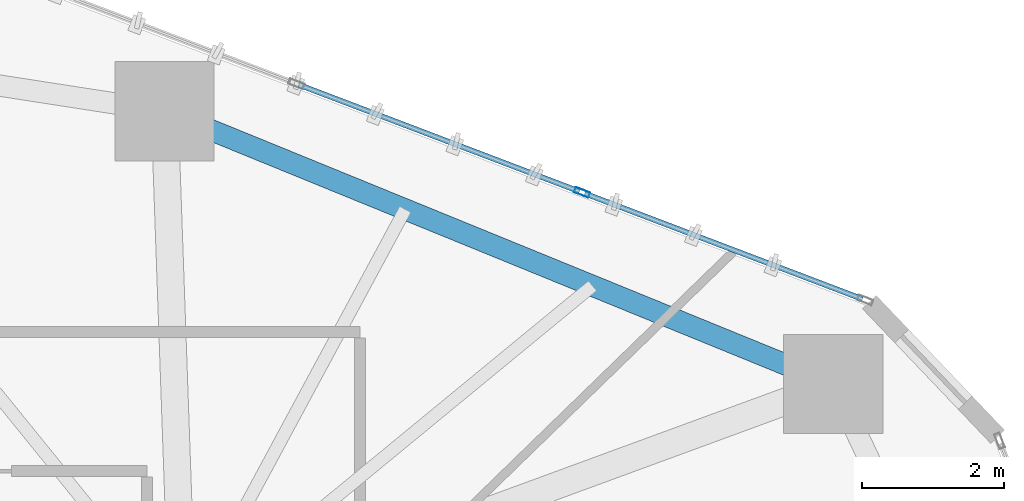
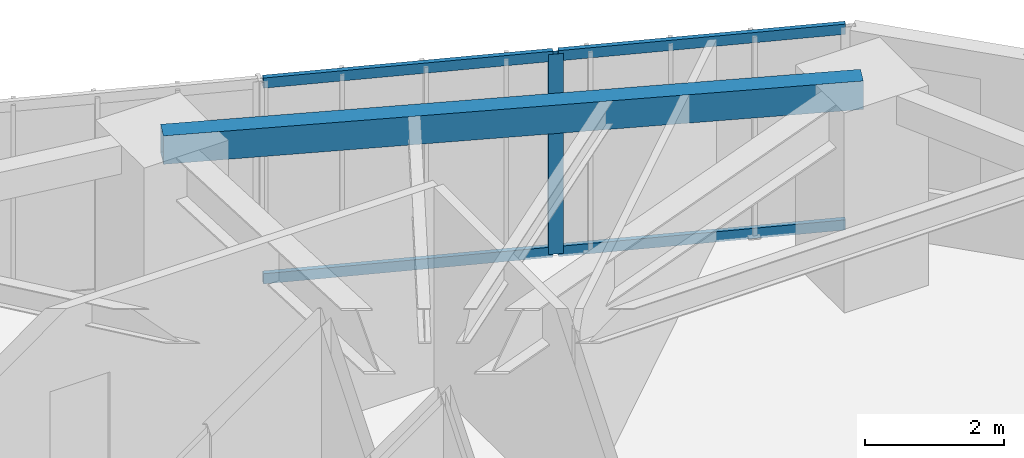
# One storey, part 16 of 23: 5 members, 1 beam, 1 element without a shape of its own.
"""IFC4 building model written with IfcOpenShell, lengths in metres."""

from ifc_helpers import new_model, si_unit, direction, frame, origin, origin_2d, place, context, subcontext, project, spatial, hollow_rectangle, extrude, source, transform, mapped, material, layer, layer_set, material_profile, profile_set, type_object, type_shapes, element, aggregate, save


model = new_model("IFC4")

# Units and contexts
model_context = context("Model", 3, precision=1e-05, world=origin(), true_north=direction((0.0, 1.0)))
body_context = subcontext(model_context, "Body", "Model", "MODEL_VIEW")
ifc_project = project(units=[si_unit("LENGTHUNIT", "METRE"), si_unit("AREAUNIT", "SQUARE_METRE"), si_unit("VOLUMEUNIT", "CUBIC_METRE"), si_unit("PLANEANGLEUNIT", "RADIAN"), si_unit("MASSUNIT", "GRAM", prefix="KILO")], contexts=[model_context])

# Site, building, storey
site_placement = place(None, origin())
site = spatial("IfcSite", under=ifc_project, at=site_placement, CompositionType="ELEMENT")
building_placement = place(site_placement, origin())
building = spatial("IfcBuilding", under=site, at=building_placement, Name="Talar Marvaseh", CompositionType="ELEMENT")
storey_placement = place(building_placement, frame((0.0, 0.0, 27.800048828125)))
storey = spatial("IfcBuildingStorey", under=building, at=storey_placement, Name="L06", CompositionType="ELEMENT", Elevation=27.800048828125)

# Beam
ifc_material_1 = material(Name="Steel S355", Category="steel")
ifc_material_profile_1 = material_profile(ifc_material_1, hollow_rectangle(XDim=0.300048828125, YDim=0.5, WallThickness=0.02001953125, at=origin_2d()), Name="RHS500x300x20")
ifc_profile_set_1 = profile_set([ifc_material_profile_1], Name="Steel S355")
beam_type = type_object("IfcBeamType", Name="Zone 1 Perimeter Spandrel Beam RHS500x300x20", PredefinedType="SPANDREL", material=ifc_profile_set_1)
beam_placement = place(storey_placement, frame((33.0458984375, 44.117919921875, 3.27001953125), z_axis=(0.92586732306, -0.377848779395, 0.0), x_axis=(0.377848779395, 0.92586732306, 0.0)))
element("IfcBeam", 1, at=beam_placement, inside=storey, type_object=beam_type, Name="L06 Zone 1 Perimeter Spandrel Beam RHS500x300x20", PredefinedType="SPANDREL", context=body_context, shape_type="SweptSolid", body=[
    extrude(hollow_rectangle(XDim=0.300048828125, YDim=0.5, WallThickness=0.02001953125, at=origin_2d()), origin(), (0.0, 0.0, 1.0), 10.186279296875),
])

# Curtain wall, members
ifc_material_2 = material(Name="Architectural Aluminium", Category="aluminium")
ifc_layer = layer(ifc_material_2, 0.219970703125)
ifc_layer_set = layer_set([ifc_layer], Name="Architectural Aluminium")
curtain_wall_type = type_object("IfcCurtainWallType", Name="Unitised Low-E Museum Curtain Wall Z1", PredefinedType="NOTDEFINED", material=ifc_layer_set)
curtain_wall_placement = place(storey_placement, origin())
curtain_wall = element("IfcCurtainWall", 2, at=curtain_wall_placement, inside=storey, type_object=curtain_wall_type, Name="L06 Unitised Low-E Museum Curtain Wall Z1", PredefinedType="NOTDEFINED")
ifc_material_profile_2 = material_profile(ifc_material_2, hollow_rectangle(XDim=0.080078125, YDim=0.219970703125, WallThickness=0.0048828125, at=origin_2d()), Name="RHS220x80x5")
ifc_profile_set_2 = profile_set([ifc_material_profile_2], Name="Architectural Aluminium")
member_type_1 = type_object("IfcMemberType", Name="Unitised Curtain Wall Heavy Mullion RHS220x80x5", PredefinedType="MULLION", material=ifc_profile_set_2)
shared_shape_1 = source(origin(), body_context, "Body", "SweptSolid", [
    extrude(hollow_rectangle(XDim=0.080078125, YDim=0.219970703125, WallThickness=0.0048828125, at=origin_2d()), origin(), (0.0, 0.0, 1.0), 3.52001953125),
])
type_shapes(member_type_1, [shared_shape_1])
member_1_placement = place(storey_placement, frame((38.93408203125, 42.971435546875, 0.0), z_axis=(0.0, 0.0, 1.0), x_axis=(0.355399736252, 0.934714409578, 0.0)))
member_1 = element("IfcMember", 3, at=member_1_placement, type_object=member_type_1, Name="CW-Z1 mullion 4", PredefinedType="MULLION", context=body_context, shape_type="MappedRepresentation", body=[
    mapped(shared_shape_1, transform((0.0, 0.0, 0.0), x_axis=(1.0, 0.0, 0.0), y_axis=(0.0, 1.0, 0.0), z_axis=(0.0, 0.0, 1.0), scale=1.0)),
])
ifc_material_profile_3 = material_profile(ifc_material_2, hollow_rectangle(XDim=0.074951171875, YDim=0.179931640625, WallThickness=0.0048828125, at=origin_2d()), Name="RHS180x75x5")
ifc_profile_set_3 = profile_set([ifc_material_profile_3], Name="Architectural Aluminium")
member_type_2 = type_object("IfcMemberType", Name="Unitised Curtain Wall Transom RHS180x75x5", PredefinedType="USERDEFINED", material=ifc_profile_set_3)
shared_shape_2 = source(origin(), body_context, "Body", "SweptSolid", [
    extrude(hollow_rectangle(XDim=0.074951171875, YDim=0.179931640625, WallThickness=0.0048828125, at=origin_2d()), origin(), (0.0, 0.0, 1.0), 4.19189453125),
])
member_2_placement = place(storey_placement, frame((38.971435546875, 42.957275390625, 0.037353515625), z_axis=(0.934718198271, -0.35538977169, 0.0), x_axis=(0.35538977169, 0.934718198271, 0.0)))
member_2 = element("IfcMember", 4, at=member_2_placement, type_object=member_type_2, Name="CW-Z1 transom 4.1", ObjectType="TRANSOM", PredefinedType="USERDEFINED", context=body_context, shape_type="MappedRepresentation", body=[
    mapped(shared_shape_2, transform((0.0, 0.0, 0.0), x_axis=(1.0, 0.0, 0.0), y_axis=(0.0, 1.0, 0.0), z_axis=(0.0, 0.0, 1.0), scale=1.0)),
])
member_3_placement = place(storey_placement, frame((38.971435546875, 42.957275390625, 3.482421875), z_axis=(0.934718198271, -0.35538977169, 0.0), x_axis=(0.35538977169, 0.934718198271, 0.0)))
member_3 = element("IfcMember", 5, at=member_3_placement, type_object=member_type_2, Name="CW-Z1 transom 4.2", ObjectType="TRANSOM", PredefinedType="USERDEFINED", context=body_context, shape_type="MappedRepresentation", body=[
    mapped(shared_shape_2, transform((0.0, 0.0, 0.0), x_axis=(1.0, 0.0, 0.0), y_axis=(0.0, 1.0, 0.0), z_axis=(0.0, 0.0, 1.0), scale=1.0)),
])
shared_shape_3 = source(origin(), body_context, "Body", "SweptSolid", [
    extrude(hollow_rectangle(XDim=0.074951171875, YDim=0.179931640625, WallThickness=0.0048828125, at=origin_2d()), origin(), (0.0, 0.0, 1.0), 4.23193359375),
])
type_shapes(member_type_2, [shared_shape_2, shared_shape_3])
member_4_placement = place(storey_placement, frame((34.941162109375, 44.48974609375, 0.037353515625), z_axis=(0.934702333661, -0.355431494734, 0.0), x_axis=(0.355431494734, 0.934702333661, 0.0)))
member_4 = element("IfcMember", 6, at=member_4_placement, type_object=member_type_2, Name="CW-Z1 transom 3.1", ObjectType="TRANSOM", PredefinedType="USERDEFINED", context=body_context, shape_type="MappedRepresentation", body=[
    mapped(shared_shape_3, transform((0.0, 0.0, 0.0), x_axis=(1.0, 0.0, 0.0), y_axis=(0.0, 1.0, 0.0), z_axis=(0.0, 0.0, 1.0), scale=1.0)),
])
member_5_placement = place(storey_placement, frame((34.941162109375, 44.48974609375, 3.482421875), z_axis=(0.934702333661, -0.355431494734, 0.0), x_axis=(0.355431494734, 0.934702333661, 0.0)))
member_5 = element("IfcMember", 7, at=member_5_placement, type_object=member_type_2, Name="CW-Z1 transom 3.2", ObjectType="TRANSOM", PredefinedType="USERDEFINED", context=body_context, shape_type="MappedRepresentation", body=[
    mapped(shared_shape_3, transform((0.0, 0.0, 0.0), x_axis=(1.0, 0.0, 0.0), y_axis=(0.0, 1.0, 0.0), z_axis=(0.0, 0.0, 1.0), scale=1.0)),
])
aggregate(curtain_wall, [member_1, member_4, member_5, member_2, member_3])

save(model, "model.ifc")
